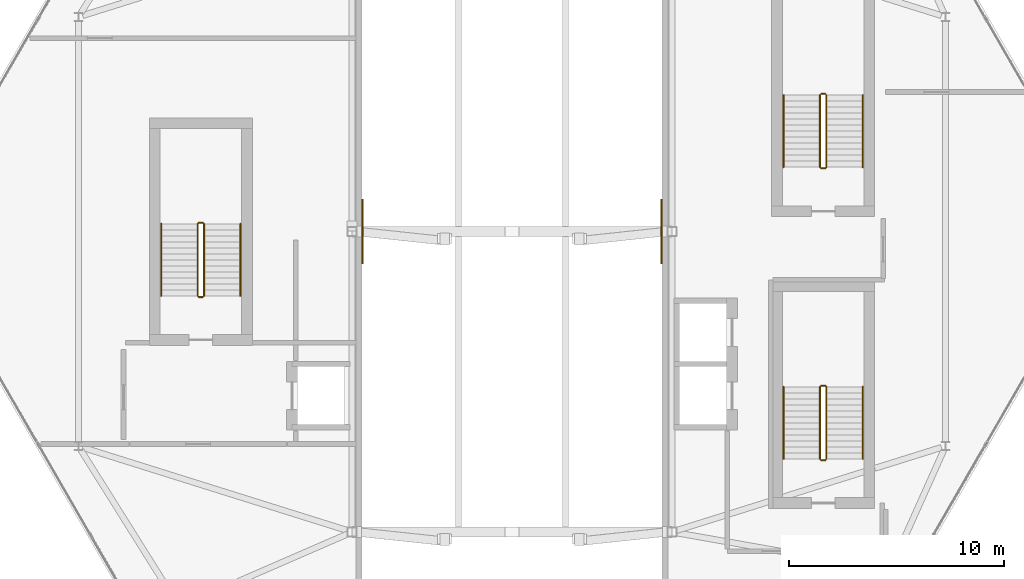
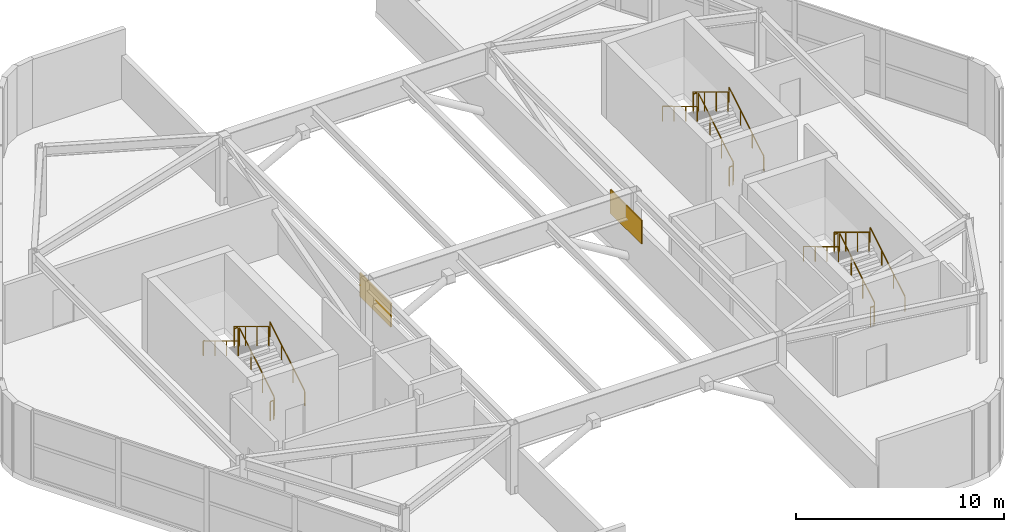
# One storey, part 16 of 16: 18 railings, 2 shading devices.
"""IFC4 building model written with IfcOpenShell, lengths in metres."""

from ifc_helpers import new_model, si_unit, direction, frame, origin, origin_2d, place, context, subcontext, project, spatial, rectangle, extrude, material, layer, layer_set, type_object, element, save


model = new_model("IFC4")

# Units and contexts
model_context = context("Model", 3, precision=1e-05, world=origin(), true_north=direction((0.0, 1.0)))
body_context = subcontext(model_context, "Body", "Model", "MODEL_VIEW")
ifc_project = project(units=[si_unit("LENGTHUNIT", "METRE"), si_unit("AREAUNIT", "SQUARE_METRE"), si_unit("VOLUMEUNIT", "CUBIC_METRE"), si_unit("PLANEANGLEUNIT", "RADIAN"), si_unit("MASSUNIT", "GRAM", prefix="KILO")], contexts=[model_context])

# Site, building, storey
site_placement = place(None, origin())
site = spatial("IfcSite", under=ifc_project, at=site_placement, CompositionType="ELEMENT")
building_placement = place(site_placement, origin())
building = spatial("IfcBuilding", under=site, at=building_placement, Name="Zuhravey Tower", CompositionType="ELEMENT")
storey_placement = place(building_placement, frame((0.0, 0.0, 374.60009765625)))
storey = spatial("IfcBuildingStorey", under=building, at=storey_placement, Name="L95", CompositionType="ELEMENT", Elevation=374.60009765625)

# Shading devices
ifc_material_1 = material(Name="Bronze-anodised perforated aluminium", Category="aluminium")
ifc_layer = layer(ifc_material_1, 0.06005859375)
ifc_layer_set = layer_set([ifc_layer], Name="Bronze-anodised perforated aluminium")
shading_device_type = type_object("IfcShadingDeviceType", Name="Girih Mashrabiya Solar Screen", PredefinedType="USERDEFINED", material=ifc_layer_set)
for number, where, z_axis, x_axis, name in (
    (1, (29.030029296875, 32.0, 1.89990234375), (0.0, 0.0, 1.0), (0.0, 1.0, 0.0), "L95 WEST Wind-Portal Girih Screen SCR1"),
    (2, (42.969970703125, 32.0, 1.89990234375), (0.0, 0.0, 1.0), (0.0, 1.0, 0.0), "L95 EAST Wind-Portal Girih Screen SCR1"),
):
    element("IfcShadingDevice", number, at=place(storey_placement, frame(where, z_axis=z_axis, x_axis=x_axis)), inside=storey, type_object=shading_device_type, Name=name, ObjectType="SCREEN", PredefinedType="USERDEFINED", context=body_context, shape_type="SweptSolid", body=[
        extrude(rectangle(XDim=3.0, YDim=0.06005859375, at=origin_2d()), origin(), (0.0, 0.0, 1.0), 1.39990234375),
    ])

# Railings
ifc_material_2 = material(Name="Brushed stainless steel", Category="steel")
railing_type_1 = type_object("IfcRailingType", Name="Stair Wall Handrail 900", PredefinedType="HANDRAIL", material=ifc_material_2)
railing_1_placement = place(storey_placement, frame((23.35009765625, 29.0, 0.169189453125)))
element("IfcRailing", 3, at=railing_1_placement, inside=storey, type_object=railing_type_1, Name="L95 CST1 stair handrail 1", PredefinedType="HANDRAIL", context=body_context, shape_type="SweptSolid", body=[
    extrude(rectangle(XDim=0.048095703125, YDim=0.048095703125, at=origin_2d()), frame((0.0, 0.001708984375, 0.876953125), z_axis=(0.0, 0.855836976705, 0.517245656632), x_axis=(-1.0, 0.0, 0.0)), (0.0, 0.0, 1.0), 3.922119140625),
    extrude(rectangle(XDim=0.0419921875, YDim=0.0419921875, at=origin_2d()), origin(), (0.0, 0.0, 1.0), 0.849853515625),
    extrude(rectangle(XDim=0.0419921875, YDim=0.0419921875, at=origin_2d()), frame((0.0, 1.1201171875, 0.677001953125)), (0.0, 0.0, 1.0), 0.849853515625),
    extrude(rectangle(XDim=0.0419921875, YDim=0.0419921875, at=origin_2d()), frame((0.0, 2.239990234375, 1.353759765625)), (0.0, 0.0, 1.0), 0.849853515625),
    extrude(rectangle(XDim=0.0419921875, YDim=0.0419921875, at=origin_2d()), frame((0.0, 3.360107421875, 2.03076171875)), (0.0, 0.0, 1.0), 0.849853515625),
])
railing_2_placement = place(storey_placement, frame((19.64990234375, 32.360107421875, 2.369140625)))
element("IfcRailing", 4, at=railing_2_placement, inside=storey, type_object=railing_type_1, Name="L95 CST1 stair handrail 2", PredefinedType="HANDRAIL", context=body_context, shape_type="SweptSolid", body=[
    extrude(rectangle(XDim=0.048095703125, YDim=0.048095703125, at=origin_2d()), frame((0.0, -0.001708984375, 0.876953125), z_axis=(0.0, -0.855836976705, 0.517245656632), x_axis=(1.0, 0.0, 0.0)), (0.0, 0.0, 1.0), 3.922119140625),
    extrude(rectangle(XDim=0.0419921875, YDim=0.0419921875, at=origin_2d()), origin(), (0.0, 0.0, 1.0), 0.849853515625),
    extrude(rectangle(XDim=0.0419921875, YDim=0.0419921875, at=origin_2d()), frame((0.0, -1.1201171875, 0.677001953125)), (0.0, 0.0, 1.0), 0.849853515625),
    extrude(rectangle(XDim=0.0419921875, YDim=0.0419921875, at=origin_2d()), frame((0.0, -2.239990234375, 1.353759765625)), (0.0, 0.0, 1.0), 0.849853515625),
    extrude(rectangle(XDim=0.0419921875, YDim=0.0419921875, at=origin_2d()), frame((0.0, -3.360107421875, 2.03076171875)), (0.0, 0.0, 1.0), 0.849853515625),
])
railing_3_placement = place(storey_placement, frame((52.35009765625, 21.39990234375, 0.169189453125)))
element("IfcRailing", 5, at=railing_3_placement, inside=storey, type_object=railing_type_1, Name="L95 CST2 stair handrail 1", PredefinedType="HANDRAIL", context=body_context, shape_type="SweptSolid", body=[
    extrude(rectangle(XDim=0.048095703125, YDim=0.048095703125, at=origin_2d()), frame((0.0, 0.001708984375, 0.876953125), z_axis=(0.0, 0.855836976705, 0.517245656632), x_axis=(-1.0, 0.0, 0.0)), (0.0, 0.0, 1.0), 3.922119140625),
    extrude(rectangle(XDim=0.0419921875, YDim=0.0419921875, at=origin_2d()), origin(), (0.0, 0.0, 1.0), 0.849853515625),
    extrude(rectangle(XDim=0.0419921875, YDim=0.0419921875, at=origin_2d()), frame((0.0, 1.1201171875, 0.677001953125)), (0.0, 0.0, 1.0), 0.849853515625),
    extrude(rectangle(XDim=0.0419921875, YDim=0.0419921875, at=origin_2d()), frame((0.0, 2.239990234375, 1.353759765625)), (0.0, 0.0, 1.0), 0.849853515625),
    extrude(rectangle(XDim=0.0419921875, YDim=0.0419921875, at=origin_2d()), frame((0.0, 3.360107421875, 2.03076171875)), (0.0, 0.0, 1.0), 0.849853515625),
])
railing_4_placement = place(storey_placement, frame((48.64990234375, 24.760009765625, 2.369140625)))
element("IfcRailing", 6, at=railing_4_placement, inside=storey, type_object=railing_type_1, Name="L95 CST2 stair handrail 2", PredefinedType="HANDRAIL", context=body_context, shape_type="SweptSolid", body=[
    extrude(rectangle(XDim=0.048095703125, YDim=0.048095703125, at=origin_2d()), frame((0.0, -0.001708984375, 0.876953125), z_axis=(0.0, -0.855836976705, 0.517245656632), x_axis=(1.0, 0.0, 0.0)), (0.0, 0.0, 1.0), 3.922119140625),
    extrude(rectangle(XDim=0.0419921875, YDim=0.0419921875, at=origin_2d()), origin(), (0.0, 0.0, 1.0), 0.849853515625),
    extrude(rectangle(XDim=0.0419921875, YDim=0.0419921875, at=origin_2d()), frame((0.0, -1.1201171875, 0.677001953125)), (0.0, 0.0, 1.0), 0.849853515625),
    extrude(rectangle(XDim=0.0419921875, YDim=0.0419921875, at=origin_2d()), frame((0.0, -2.239990234375, 1.353759765625)), (0.0, 0.0, 1.0), 0.849853515625),
    extrude(rectangle(XDim=0.0419921875, YDim=0.0419921875, at=origin_2d()), frame((0.0, -3.360107421875, 2.03076171875)), (0.0, 0.0, 1.0), 0.849853515625),
])
railing_5_placement = place(storey_placement, frame((52.35009765625, 35.0, 0.169189453125)))
element("IfcRailing", 7, at=railing_5_placement, inside=storey, type_object=railing_type_1, Name="L95 CST3 stair handrail 1", PredefinedType="HANDRAIL", context=body_context, shape_type="SweptSolid", body=[
    extrude(rectangle(XDim=0.048095703125, YDim=0.048095703125, at=origin_2d()), frame((0.0, 0.001708984375, 0.876953125), z_axis=(0.0, 0.855836976705, 0.517245656632), x_axis=(-1.0, 0.0, 0.0)), (0.0, 0.0, 1.0), 3.922119140625),
    extrude(rectangle(XDim=0.0419921875, YDim=0.0419921875, at=origin_2d()), origin(), (0.0, 0.0, 1.0), 0.849853515625),
    extrude(rectangle(XDim=0.0419921875, YDim=0.0419921875, at=origin_2d()), frame((0.0, 1.1201171875, 0.677001953125)), (0.0, 0.0, 1.0), 0.849853515625),
    extrude(rectangle(XDim=0.0419921875, YDim=0.0419921875, at=origin_2d()), frame((0.0, 2.239990234375, 1.353759765625)), (0.0, 0.0, 1.0), 0.849853515625),
    extrude(rectangle(XDim=0.0419921875, YDim=0.0419921875, at=origin_2d()), frame((0.0, 3.360107421875, 2.03076171875)), (0.0, 0.0, 1.0), 0.849853515625),
])
railing_6_placement = place(storey_placement, frame((48.64990234375, 38.360107421875, 2.369140625)))
element("IfcRailing", 8, at=railing_6_placement, inside=storey, type_object=railing_type_1, Name="L95 CST3 stair handrail 2", PredefinedType="HANDRAIL", context=body_context, shape_type="SweptSolid", body=[
    extrude(rectangle(XDim=0.048095703125, YDim=0.048095703125, at=origin_2d()), frame((0.0, -0.001708984375, 0.876953125), z_axis=(0.0, -0.855836976705, 0.517245656632), x_axis=(1.0, 0.0, 0.0)), (0.0, 0.0, 1.0), 3.922119140625),
    extrude(rectangle(XDim=0.0419921875, YDim=0.0419921875, at=origin_2d()), origin(), (0.0, 0.0, 1.0), 0.849853515625),
    extrude(rectangle(XDim=0.0419921875, YDim=0.0419921875, at=origin_2d()), frame((0.0, -1.1201171875, 0.677001953125)), (0.0, 0.0, 1.0), 0.849853515625),
    extrude(rectangle(XDim=0.0419921875, YDim=0.0419921875, at=origin_2d()), frame((0.0, -2.239990234375, 1.353759765625)), (0.0, 0.0, 1.0), 0.849853515625),
    extrude(rectangle(XDim=0.0419921875, YDim=0.0419921875, at=origin_2d()), frame((0.0, -3.360107421875, 2.03076171875)), (0.0, 0.0, 1.0), 0.849853515625),
])
ifc_material_3 = material(Name="Painted tubular steel", Category="steel")
railing_type_2 = type_object("IfcRailingType", Name="Stair Well Guardrail 1150", PredefinedType="GUARDRAIL", material=ifc_material_3)
railing_7_placement = place(storey_placement, frame((21.64990234375, 29.0, 0.169189453125)))
element("IfcRailing", 9, at=railing_7_placement, inside=storey, type_object=railing_type_2, Name="L95 CST1 stair guard 1", PredefinedType="GUARDRAIL", context=body_context, shape_type="SweptSolid", body=[
    extrude(rectangle(XDim=0.048095703125, YDim=0.048095703125, at=origin_2d()), frame((0.0, 0.001708984375, 1.126953125), z_axis=(0.0, 0.855836976705, 0.517245656632), x_axis=(-1.0, 0.0, 0.0)), (0.0, 0.0, 1.0), 3.922119140625),
    extrude(rectangle(XDim=0.0419921875, YDim=0.0419921875, at=origin_2d()), origin(), (0.0, 0.0, 1.0), 1.099853515625),
    extrude(rectangle(XDim=0.0419921875, YDim=0.0419921875, at=origin_2d()), frame((0.0, 1.1201171875, 0.677001953125)), (0.0, 0.0, 1.0), 1.099853515625),
    extrude(rectangle(XDim=0.0419921875, YDim=0.0419921875, at=origin_2d()), frame((0.0, 2.239990234375, 1.353759765625)), (0.0, 0.0, 1.0), 1.099853515625),
    extrude(rectangle(XDim=0.0419921875, YDim=0.0419921875, at=origin_2d()), frame((0.0, 3.360107421875, 2.03076171875)), (0.0, 0.0, 1.0), 1.099853515625),
])
railing_8_placement = place(storey_placement, frame((21.60009765625, 32.409912109375, 2.199951171875)))
element("IfcRailing", 10, at=railing_8_placement, inside=storey, type_object=railing_type_2, Name="L95 CST1 stair guard 2", PredefinedType="GUARDRAIL", context=body_context, shape_type="SweptSolid", body=[
    extrude(rectangle(XDim=0.048095703125, YDim=0.048095703125, at=origin_2d()), frame((-0.001953125, 0.0, 1.1259765625), z_axis=(-1.0, 0.0, 0.0), x_axis=(0.0, -1.0, 0.0)), (0.0, 0.0, 1.0), 0.1962890625),
    extrude(rectangle(XDim=0.0419921875, YDim=0.0419921875, at=origin_2d()), origin(), (0.0, 0.0, 1.0), 1.099853515625),
    extrude(rectangle(XDim=0.0419921875, YDim=0.0419921875, at=origin_2d()), frame((-0.2001953125, 0.0, 0.0)), (0.0, 0.0, 1.0), 1.099853515625),
])
railing_9_placement = place(storey_placement, frame((21.35009765625, 32.360107421875, 2.369140625)))
element("IfcRailing", 11, at=railing_9_placement, inside=storey, type_object=railing_type_2, Name="L95 CST1 stair guard 3", PredefinedType="GUARDRAIL", context=body_context, shape_type="SweptSolid", body=[
    extrude(rectangle(XDim=0.048095703125, YDim=0.048095703125, at=origin_2d()), frame((0.0, -0.001708984375, 1.126953125), z_axis=(0.0, -0.855836976705, 0.517245656632), x_axis=(1.0, 0.0, 0.0)), (0.0, 0.0, 1.0), 3.922119140625),
    extrude(rectangle(XDim=0.0419921875, YDim=0.0419921875, at=origin_2d()), origin(), (0.0, 0.0, 1.0), 1.099853515625),
    extrude(rectangle(XDim=0.0419921875, YDim=0.0419921875, at=origin_2d()), frame((0.0, -1.1201171875, 0.677001953125)), (0.0, 0.0, 1.0), 1.099853515625),
    extrude(rectangle(XDim=0.0419921875, YDim=0.0419921875, at=origin_2d()), frame((0.0, -2.239990234375, 1.353759765625)), (0.0, 0.0, 1.0), 1.099853515625),
    extrude(rectangle(XDim=0.0419921875, YDim=0.0419921875, at=origin_2d()), frame((0.0, -3.360107421875, 2.03076171875)), (0.0, 0.0, 1.0), 1.099853515625),
])
railing_10_placement = place(storey_placement, frame((21.60009765625, 28.949951171875, 0.0)))
element("IfcRailing", 12, at=railing_10_placement, inside=storey, type_object=railing_type_2, Name="L95 CST1 stair guard 4", PredefinedType="GUARDRAIL", context=body_context, shape_type="SweptSolid", body=[
    extrude(rectangle(XDim=0.048095703125, YDim=0.048095703125, at=origin_2d()), frame((-0.001953125, 0.0, 1.1259765625), z_axis=(-1.0, 0.0, 0.0), x_axis=(0.0, -1.0, 0.0)), (0.0, 0.0, 1.0), 0.1962890625),
    extrude(rectangle(XDim=0.0419921875, YDim=0.0419921875, at=origin_2d()), origin(), (0.0, 0.0, 1.0), 1.099853515625),
    extrude(rectangle(XDim=0.0419921875, YDim=0.0419921875, at=origin_2d()), frame((-0.2001953125, 0.0, 0.0)), (0.0, 0.0, 1.0), 1.099853515625),
])
railing_11_placement = place(storey_placement, frame((50.64990234375, 21.39990234375, 0.169189453125)))
element("IfcRailing", 13, at=railing_11_placement, inside=storey, type_object=railing_type_2, Name="L95 CST2 stair guard 1", PredefinedType="GUARDRAIL", context=body_context, shape_type="SweptSolid", body=[
    extrude(rectangle(XDim=0.048095703125, YDim=0.048095703125, at=origin_2d()), frame((0.0, 0.001708984375, 1.126953125), z_axis=(0.0, 0.855836976705, 0.517245656632), x_axis=(-1.0, 0.0, 0.0)), (0.0, 0.0, 1.0), 3.922119140625),
    extrude(rectangle(XDim=0.0419921875, YDim=0.0419921875, at=origin_2d()), origin(), (0.0, 0.0, 1.0), 1.099853515625),
    extrude(rectangle(XDim=0.0419921875, YDim=0.0419921875, at=origin_2d()), frame((0.0, 1.1201171875, 0.677001953125)), (0.0, 0.0, 1.0), 1.099853515625),
    extrude(rectangle(XDim=0.0419921875, YDim=0.0419921875, at=origin_2d()), frame((0.0, 2.239990234375, 1.353759765625)), (0.0, 0.0, 1.0), 1.099853515625),
    extrude(rectangle(XDim=0.0419921875, YDim=0.0419921875, at=origin_2d()), frame((0.0, 3.360107421875, 2.03076171875)), (0.0, 0.0, 1.0), 1.099853515625),
])
railing_12_placement = place(storey_placement, frame((50.60009765625, 24.81005859375, 2.199951171875)))
element("IfcRailing", 14, at=railing_12_placement, inside=storey, type_object=railing_type_2, Name="L95 CST2 stair guard 2", PredefinedType="GUARDRAIL", context=body_context, shape_type="SweptSolid", body=[
    extrude(rectangle(XDim=0.048095703125, YDim=0.048095703125, at=origin_2d()), frame((-0.001953125, 0.0, 1.1259765625), z_axis=(-1.0, 0.0, 0.0), x_axis=(0.0, -1.0, 0.0)), (0.0, 0.0, 1.0), 0.1962890625),
    extrude(rectangle(XDim=0.0419921875, YDim=0.0419921875, at=origin_2d()), origin(), (0.0, 0.0, 1.0), 1.099853515625),
    extrude(rectangle(XDim=0.0419921875, YDim=0.0419921875, at=origin_2d()), frame((-0.2001953125, 0.0, 0.0)), (0.0, 0.0, 1.0), 1.099853515625),
])
railing_13_placement = place(storey_placement, frame((50.35009765625, 24.760009765625, 2.369140625)))
element("IfcRailing", 15, at=railing_13_placement, inside=storey, type_object=railing_type_2, Name="L95 CST2 stair guard 3", PredefinedType="GUARDRAIL", context=body_context, shape_type="SweptSolid", body=[
    extrude(rectangle(XDim=0.048095703125, YDim=0.048095703125, at=origin_2d()), frame((0.0, -0.001708984375, 1.126953125), z_axis=(0.0, -0.855836976705, 0.517245656632), x_axis=(1.0, 0.0, 0.0)), (0.0, 0.0, 1.0), 3.922119140625),
    extrude(rectangle(XDim=0.0419921875, YDim=0.0419921875, at=origin_2d()), origin(), (0.0, 0.0, 1.0), 1.099853515625),
    extrude(rectangle(XDim=0.0419921875, YDim=0.0419921875, at=origin_2d()), frame((0.0, -1.1201171875, 0.677001953125)), (0.0, 0.0, 1.0), 1.099853515625),
    extrude(rectangle(XDim=0.0419921875, YDim=0.0419921875, at=origin_2d()), frame((0.0, -2.239990234375, 1.353759765625)), (0.0, 0.0, 1.0), 1.099853515625),
    extrude(rectangle(XDim=0.0419921875, YDim=0.0419921875, at=origin_2d()), frame((0.0, -3.360107421875, 2.03076171875)), (0.0, 0.0, 1.0), 1.099853515625),
])
railing_14_placement = place(storey_placement, frame((50.60009765625, 21.35009765625, 0.0)))
element("IfcRailing", 16, at=railing_14_placement, inside=storey, type_object=railing_type_2, Name="L95 CST2 stair guard 4", PredefinedType="GUARDRAIL", context=body_context, shape_type="SweptSolid", body=[
    extrude(rectangle(XDim=0.048095703125, YDim=0.048095703125, at=origin_2d()), frame((-0.001953125, 0.0, 1.1259765625), z_axis=(-1.0, 0.0, 0.0), x_axis=(0.0, -1.0, 0.0)), (0.0, 0.0, 1.0), 0.1962890625),
    extrude(rectangle(XDim=0.0419921875, YDim=0.0419921875, at=origin_2d()), origin(), (0.0, 0.0, 1.0), 1.099853515625),
    extrude(rectangle(XDim=0.0419921875, YDim=0.0419921875, at=origin_2d()), frame((-0.2001953125, 0.0, 0.0)), (0.0, 0.0, 1.0), 1.099853515625),
])
railing_15_placement = place(storey_placement, frame((50.64990234375, 35.0, 0.169189453125)))
element("IfcRailing", 17, at=railing_15_placement, inside=storey, type_object=railing_type_2, Name="L95 CST3 stair guard 1", PredefinedType="GUARDRAIL", context=body_context, shape_type="SweptSolid", body=[
    extrude(rectangle(XDim=0.048095703125, YDim=0.048095703125, at=origin_2d()), frame((0.0, 0.001708984375, 1.126953125), z_axis=(0.0, 0.855836976705, 0.517245656632), x_axis=(-1.0, 0.0, 0.0)), (0.0, 0.0, 1.0), 3.922119140625),
    extrude(rectangle(XDim=0.0419921875, YDim=0.0419921875, at=origin_2d()), origin(), (0.0, 0.0, 1.0), 1.099853515625),
    extrude(rectangle(XDim=0.0419921875, YDim=0.0419921875, at=origin_2d()), frame((0.0, 1.1201171875, 0.677001953125)), (0.0, 0.0, 1.0), 1.099853515625),
    extrude(rectangle(XDim=0.0419921875, YDim=0.0419921875, at=origin_2d()), frame((0.0, 2.239990234375, 1.353759765625)), (0.0, 0.0, 1.0), 1.099853515625),
    extrude(rectangle(XDim=0.0419921875, YDim=0.0419921875, at=origin_2d()), frame((0.0, 3.360107421875, 2.03076171875)), (0.0, 0.0, 1.0), 1.099853515625),
])
railing_16_placement = place(storey_placement, frame((50.60009765625, 38.409912109375, 2.199951171875)))
element("IfcRailing", 18, at=railing_16_placement, inside=storey, type_object=railing_type_2, Name="L95 CST3 stair guard 2", PredefinedType="GUARDRAIL", context=body_context, shape_type="SweptSolid", body=[
    extrude(rectangle(XDim=0.048095703125, YDim=0.048095703125, at=origin_2d()), frame((-0.001953125, 0.0, 1.1259765625), z_axis=(-1.0, 0.0, 0.0), x_axis=(0.0, -1.0, 0.0)), (0.0, 0.0, 1.0), 0.1962890625),
    extrude(rectangle(XDim=0.0419921875, YDim=0.0419921875, at=origin_2d()), origin(), (0.0, 0.0, 1.0), 1.099853515625),
    extrude(rectangle(XDim=0.0419921875, YDim=0.0419921875, at=origin_2d()), frame((-0.2001953125, 0.0, 0.0)), (0.0, 0.0, 1.0), 1.099853515625),
])
railing_17_placement = place(storey_placement, frame((50.35009765625, 38.360107421875, 2.369140625)))
element("IfcRailing", 19, at=railing_17_placement, inside=storey, type_object=railing_type_2, Name="L95 CST3 stair guard 3", PredefinedType="GUARDRAIL", context=body_context, shape_type="SweptSolid", body=[
    extrude(rectangle(XDim=0.048095703125, YDim=0.048095703125, at=origin_2d()), frame((0.0, -0.001708984375, 1.126953125), z_axis=(0.0, -0.855836976705, 0.517245656632), x_axis=(1.0, 0.0, 0.0)), (0.0, 0.0, 1.0), 3.922119140625),
    extrude(rectangle(XDim=0.0419921875, YDim=0.0419921875, at=origin_2d()), origin(), (0.0, 0.0, 1.0), 1.099853515625),
    extrude(rectangle(XDim=0.0419921875, YDim=0.0419921875, at=origin_2d()), frame((0.0, -1.1201171875, 0.677001953125)), (0.0, 0.0, 1.0), 1.099853515625),
    extrude(rectangle(XDim=0.0419921875, YDim=0.0419921875, at=origin_2d()), frame((0.0, -2.239990234375, 1.353759765625)), (0.0, 0.0, 1.0), 1.099853515625),
    extrude(rectangle(XDim=0.0419921875, YDim=0.0419921875, at=origin_2d()), frame((0.0, -3.360107421875, 2.03076171875)), (0.0, 0.0, 1.0), 1.099853515625),
])
railing_18_placement = place(storey_placement, frame((50.60009765625, 34.949951171875, 0.0)))
element("IfcRailing", 20, at=railing_18_placement, inside=storey, type_object=railing_type_2, Name="L95 CST3 stair guard 4", PredefinedType="GUARDRAIL", context=body_context, shape_type="SweptSolid", body=[
    extrude(rectangle(XDim=0.048095703125, YDim=0.048095703125, at=origin_2d()), frame((-0.001953125, 0.0, 1.1259765625), z_axis=(-1.0, 0.0, 0.0), x_axis=(0.0, -1.0, 0.0)), (0.0, 0.0, 1.0), 0.1962890625),
    extrude(rectangle(XDim=0.0419921875, YDim=0.0419921875, at=origin_2d()), origin(), (0.0, 0.0, 1.0), 1.099853515625),
    extrude(rectangle(XDim=0.0419921875, YDim=0.0419921875, at=origin_2d()), frame((-0.2001953125, 0.0, 0.0)), (0.0, 0.0, 1.0), 1.099853515625),
])

save(model, "model.ifc")
